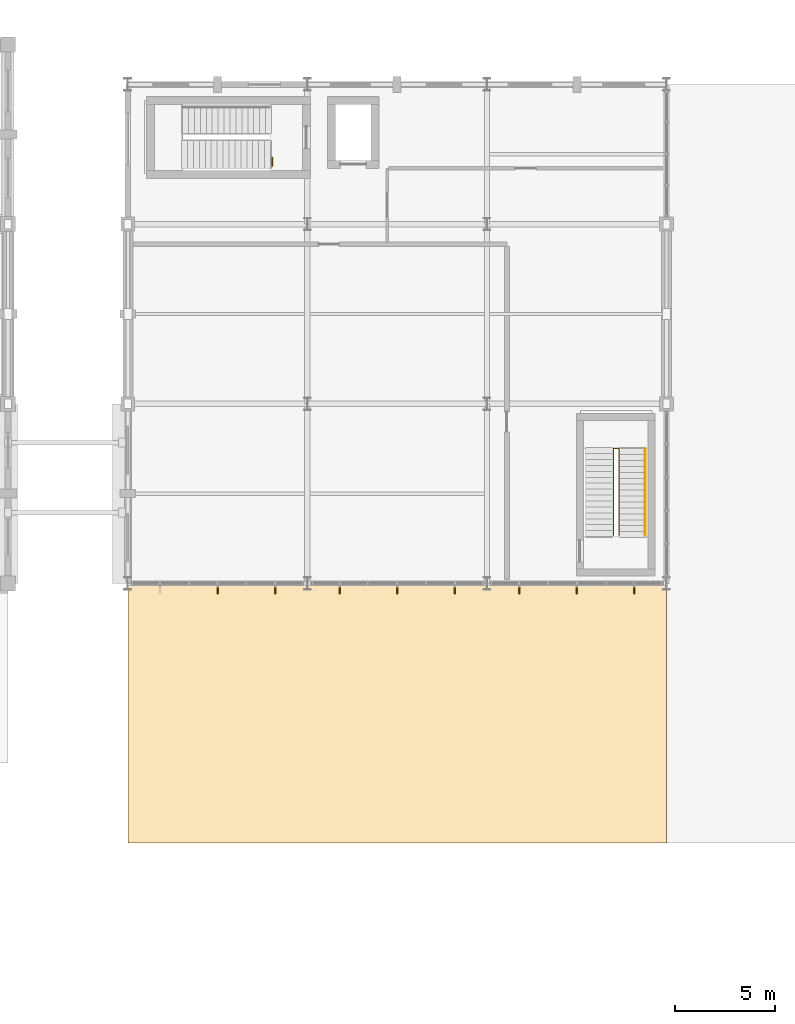
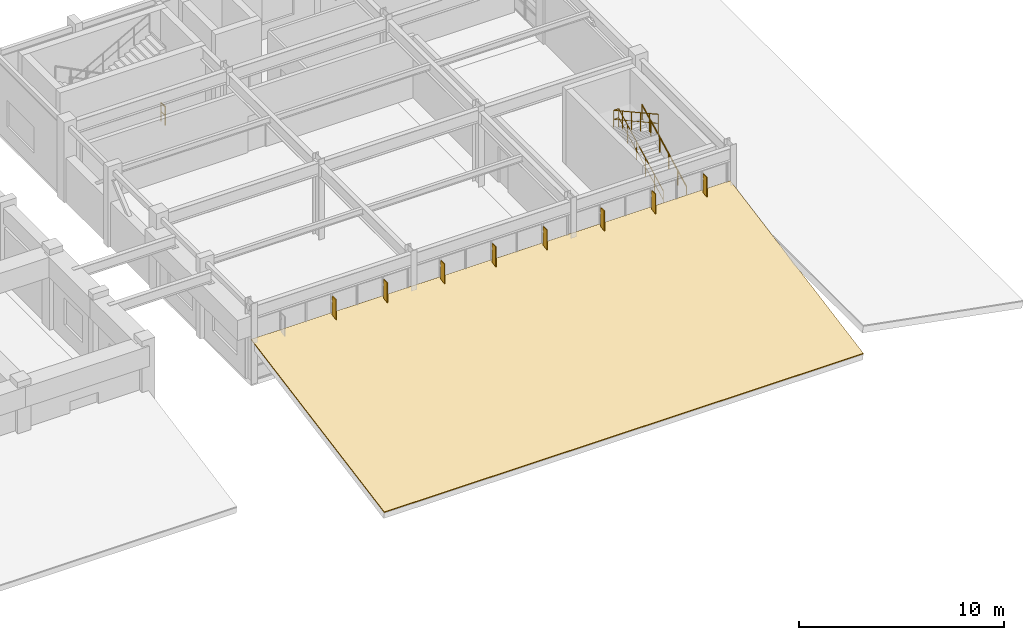
# One storey, part 103 of 104: 8 shading devices, 3 railings, 1 covering.
"""IFC4 building model written with IfcOpenShell, lengths in metres."""

from ifc_helpers import new_model, si_unit, direction, frame, origin, origin_2d, place, context, subcontext, project, spatial, polyline, rectangle, circle, outline, extrude, material, layer, layer_set, type_object, element, save


model = new_model("IFC4")

# Units and contexts
model_context = context("Model", 3, precision=1e-05, world=origin(), true_north=direction((0.0, 1.0)))
body_context = subcontext(model_context, "Body", "Model", "MODEL_VIEW")
ifc_project = project(units=[si_unit("LENGTHUNIT", "METRE"), si_unit("AREAUNIT", "SQUARE_METRE"), si_unit("VOLUMEUNIT", "CUBIC_METRE"), si_unit("PLANEANGLEUNIT", "RADIAN"), si_unit("MASSUNIT", "GRAM", prefix="KILO")], contexts=[model_context])

# Site, building, storey
site_placement = place(None, origin())
site = spatial("IfcSite", under=ifc_project, at=site_placement, CompositionType="ELEMENT")
building_placement = place(site_placement, origin())
building = spatial("IfcBuilding", under=site, at=building_placement, Name="Ventoquebrada Cableway Terminal", CompositionType="ELEMENT")
storey_placement = place(building_placement, frame((0.0, 0.0, 4.800048828125)))
storey = spatial("IfcBuildingStorey", under=building, at=storey_placement, Name="L01", CompositionType="ELEMENT", Elevation=4.800048828125)

# Covering
ifc_material_1 = material(Name="Standing-seam zinc-titanium roofing")
ifc_layer = layer(ifc_material_1, 0.06005859375)
ifc_layer_set = layer_set([ifc_layer], Name="Standing-seam zinc-titanium roofing")
covering_type = type_object("IfcCoveringType", Name="COV-RF01", PredefinedType="ROOFING", material=ifc_layer_set)
covering_placement = place(storey_placement, frame((129.0, 64.010986328125, 0.0009765625), z_axis=(0.0, -0.182201008296, 0.983261304321), x_axis=(1.0, 0.0, 0.0)))
element("IfcCovering", 1, at=covering_placement, inside=storey, type_object=covering_type, Name="Standing-seam roof covering SL-113", PredefinedType="ROOFING", context=body_context, shape_type="SweptSolid", body=[
    extrude(outline(polyline([(0.0, 0.0), (27.0, 0.0), (27.0, 13.221307441739564), (0.0, 13.221307441739564), (0.0, 0.0)])), origin(), (0.0, 0.0, 1.0), 0.06005859375),
])

# Railings
ifc_material_2 = material(Name="Brushed stainless steel Grade 316", Category="steel")
railing_type_1 = type_object("IfcRailingType", Name="RL-GD01", PredefinedType="GUARDRAIL", material=ifc_material_2)
railing_1_placement = place(storey_placement, frame((153.610107421875, 79.39990234375, 0.14990234375)))
element("IfcRailing", 2, at=railing_1_placement, inside=storey, type_object=railing_type_1, Name="Stair well guardrail GR-S31", PredefinedType="GUARDRAIL", context=body_context, shape_type="SweptSolid", body=[
    extrude(circle(Radius=0.02392578125, at=origin_2d()), frame((0.0, 0.001708984375, 1.096923828125), z_axis=(0.0, 0.888221851817, 0.459414782038), x_axis=(-1.0, 0.0, 0.0)), (0.0, 0.0, 1.0), 4.8935546875),
    extrude(circle(Radius=0.01611328125, at=origin_2d()), frame((0.0, 0.001708984375, 0.56103515625), z_axis=(0.0, 0.888221851817, 0.459414782038), x_axis=(-1.0, 0.0, 0.0)), (0.0, 0.0, 1.0), 4.8935546875),
    extrude(circle(Radius=0.02392578125, at=origin_2d()), frame((-0.001953125, 4.35009765625, 3.34619140625), z_axis=(-1.0, 0.0, 0.0), x_axis=(0.0, -1.0, 0.0)), (0.0, 0.0, 1.0), 0.276123046875),
    extrude(circle(Radius=0.01611328125, at=origin_2d()), frame((-0.001953125, 4.35009765625, 2.81005859375), z_axis=(-1.0, 0.0, 0.0), x_axis=(0.0, -1.0, 0.0)), (0.0, 0.0, 1.0), 0.276123046875),
    extrude(circle(Radius=0.02392578125, at=origin_2d()), frame((-0.280029296875, 4.348388671875, 3.346923828125), z_axis=(0.0, -0.875569800069, 0.483091632309), x_axis=(1.0, 0.0, 0.0)), (0.0, 0.0, 1.0), 4.96435546875),
    extrude(circle(Radius=0.01611328125, at=origin_2d()), frame((-0.280029296875, 4.348388671875, 2.81103515625), z_axis=(0.0, -0.875569800069, 0.483091632309), x_axis=(1.0, 0.0, 0.0)), (0.0, 0.0, 1.0), 4.96435546875),
    extrude(circle(Radius=0.02099609375, at=origin_2d()), origin(), (0.0, 0.0, 1.0), 1.072021484375),
    extrude(circle(Radius=0.02099609375, at=origin_2d()), frame((0.0, 0.8701171875, 0.449951171875)), (0.0, 0.0, 1.0), 1.072021484375),
    extrude(circle(Radius=0.02099609375, at=origin_2d()), frame((0.0, 1.739990234375, 0.89990234375)), (0.0, 0.0, 1.0), 1.072021484375),
    extrude(circle(Radius=0.02099609375, at=origin_2d()), frame((0.0, 2.610107421875, 1.35009765625)), (0.0, 0.0, 1.0), 1.072021484375),
    extrude(circle(Radius=0.02099609375, at=origin_2d()), frame((0.0, 3.47998046875, 1.800048828125)), (0.0, 0.0, 1.0), 1.072021484375),
    extrude(circle(Radius=0.02099609375, at=origin_2d()), frame((0.0, 4.35009765625, 2.25)), (0.0, 0.0, 1.0), 1.072021484375),
    extrude(circle(Radius=0.02099609375, at=origin_2d()), frame((-0.280029296875, 4.35009765625, 2.25)), (0.0, 0.0, 1.0), 1.072021484375),
    extrude(circle(Radius=0.02099609375, at=origin_2d()), frame((-0.280029296875, 3.47998046875, 2.72998046875)), (0.0, 0.0, 1.0), 1.072021484375),
    extrude(circle(Radius=0.02099609375, at=origin_2d()), frame((-0.280029296875, 2.610107421875, 3.2099609375)), (0.0, 0.0, 1.0), 1.072021484375),
    extrude(circle(Radius=0.02099609375, at=origin_2d()), frame((-0.280029296875, 1.739990234375, 3.690185546875)), (0.0, 0.0, 1.0), 1.072021484375),
    extrude(circle(Radius=0.02099609375, at=origin_2d()), frame((-0.280029296875, 0.8701171875, 4.170166015625)), (0.0, 0.0, 1.0), 1.072021484375),
    extrude(circle(Radius=0.02099609375, at=origin_2d()), frame((-0.280029296875, 0.0, 4.650146484375)), (0.0, 0.0, 1.0), 1.072021484375),
])
railing_2_placement = place(storey_placement, frame((136.239990234375, 97.919921875, 0.0)))
element("IfcRailing", 3, at=railing_2_placement, inside=storey, type_object=railing_type_1, Name="Open-edge guardrail GR-E069", PredefinedType="GUARDRAIL", context=body_context, shape_type="SweptSolid", body=[
    extrude(circle(Radius=0.02392578125, at=origin_2d()), frame((0.0, 0.001953125, 1.09619140625), z_axis=(0.0, 1.0, 0.0), x_axis=(-1.0, 0.0, 0.0)), (0.0, 0.0, 1.0), 0.416259765625),
    extrude(circle(Radius=0.01611328125, at=origin_2d()), frame((0.0, 0.001953125, 0.56005859375), z_axis=(0.0, 1.0, 0.0), x_axis=(-1.0, 0.0, 0.0)), (0.0, 0.0, 1.0), 0.416259765625),
    extrude(circle(Radius=0.02099609375, at=origin_2d()), origin(), (0.0, 0.0, 1.0), 1.072021484375),
    extrude(circle(Radius=0.02099609375, at=origin_2d()), frame((0.0, 0.420166015625, 0.0)), (0.0, 0.0, 1.0), 1.072021484375),
])
railing_type_2 = type_object("IfcRailingType", Name="RL-HR01", PredefinedType="HANDRAIL", material=ifc_material_2)
railing_3_placement = place(storey_placement, frame((154.919921875, 79.39990234375, 0.14990234375)))
element("IfcRailing", 4, at=railing_3_placement, inside=storey, type_object=railing_type_2, Name="Stair wall handrail HR-S31", PredefinedType="HANDRAIL", context=body_context, shape_type="SweptSolid", body=[
    extrude(circle(Radius=0.02392578125, at=origin_2d()), frame((0.0, 0.001708984375, 0.896728515625), z_axis=(0.0, 0.888221851817, 0.459414782038), x_axis=(-1.0, 0.0, 0.0)), (0.0, 0.0, 1.0), 4.8935546875),
    extrude(circle(Radius=0.02099609375, at=origin_2d()), origin(), (0.0, 0.0, 1.0), 0.871826171875),
    extrude(circle(Radius=0.02099609375, at=origin_2d()), frame((0.0, 0.8701171875, 0.449951171875)), (0.0, 0.0, 1.0), 0.871826171875),
    extrude(circle(Radius=0.02099609375, at=origin_2d()), frame((0.0, 1.739990234375, 0.89990234375)), (0.0, 0.0, 1.0), 0.871826171875),
    extrude(circle(Radius=0.02099609375, at=origin_2d()), frame((0.0, 2.610107421875, 1.35009765625)), (0.0, 0.0, 1.0), 0.871826171875),
    extrude(circle(Radius=0.02099609375, at=origin_2d()), frame((0.0, 3.47998046875, 1.800048828125)), (0.0, 0.0, 1.0), 0.871826171875),
    extrude(circle(Radius=0.02099609375, at=origin_2d()), frame((0.0, 4.35009765625, 2.25)), (0.0, 0.0, 1.0), 0.871826171875),
])

# Shading devices
ifc_material_3 = material(Name="Anodized thermally-broken aluminium", Category="aluminium")
shading_device_type = type_object("IfcShadingDeviceType", Name="SHD-AW1", PredefinedType="AWNING", material=ifc_material_3)
for number, where, z_axis, x_axis, name in (
    (5, (133.5, 76.659912109375, 0.14990234375), (0.0, 0.0, 1.0), (1.0, 0.0, 0.0), "Extruded aluminium sunshade fin FN-045"),
    (6, (136.386962890625, 76.659912109375, 0.14990234375), (0.0, 0.0, 1.0), (1.0, 0.0, 0.0), "Extruded aluminium sunshade fin FN-046"),
    (7, (139.613037109375, 76.659912109375, 0.14990234375), (0.0, 0.0, 1.0), (1.0, 0.0, 0.0), "Extruded aluminium sunshade fin FN-047"),
    (8, (142.5, 76.659912109375, 0.14990234375), (0.0, 0.0, 1.0), (1.0, 0.0, 0.0), "Extruded aluminium sunshade fin FN-048"),
    (9, (145.386962890625, 76.659912109375, 0.14990234375), (0.0, 0.0, 1.0), (1.0, 0.0, 0.0), "Extruded aluminium sunshade fin FN-049"),
    (10, (148.613037109375, 76.659912109375, 0.14990234375), (0.0, 0.0, 1.0), (1.0, 0.0, 0.0), "Extruded aluminium sunshade fin FN-050"),
    (11, (151.5, 76.659912109375, 0.14990234375), (0.0, 0.0, 1.0), (1.0, 0.0, 0.0), "Extruded aluminium sunshade fin FN-051"),
    (12, (154.386962890625, 76.659912109375, 0.14990234375), (0.0, 0.0, 1.0), (1.0, 0.0, 0.0), "Extruded aluminium sunshade fin FN-052"),
):
    element("IfcShadingDevice", number, at=place(storey_placement, frame(where, z_axis=z_axis, x_axis=x_axis)), inside=storey, type_object=shading_device_type, Name=name, PredefinedType="AWNING", context=body_context, shape_type="SweptSolid", body=[
        extrude(rectangle(XDim=0.044921875, YDim=0.360107421875, at=origin_2d()), origin(), (0.0, 0.0, 1.0), 3.407958984375),
    ])

save(model, "model.ifc")
